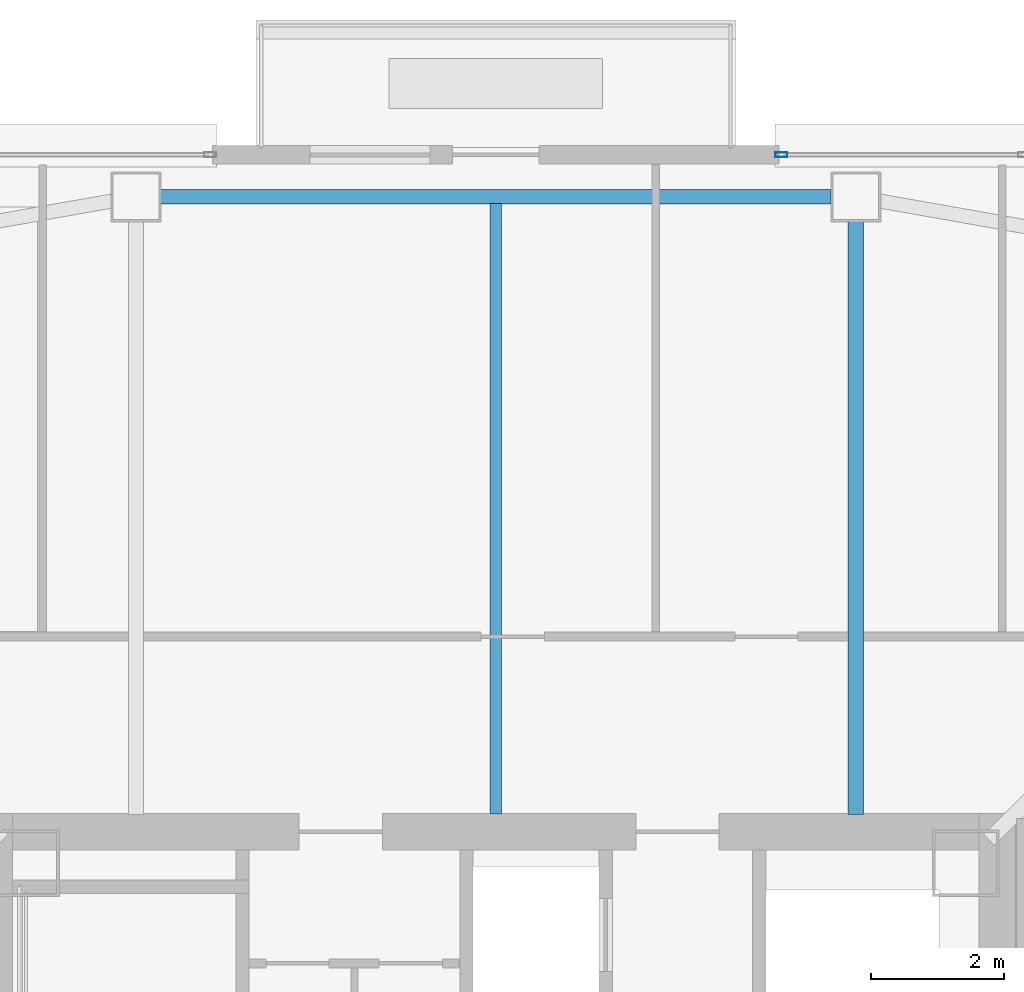
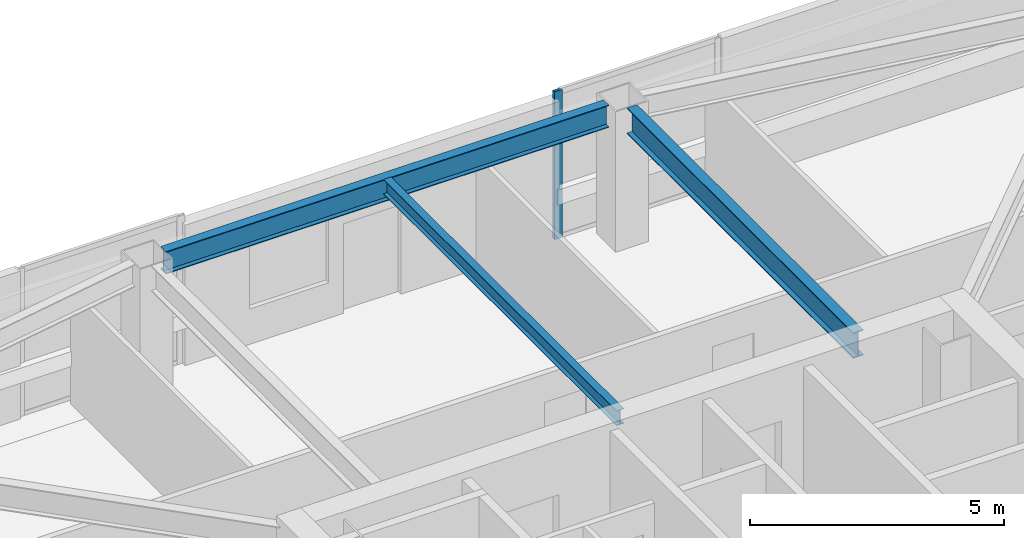
# One storey, part 15 of 46: 3 beams, 1 member, 1 element without a shape of its own.
"""IFC4 building model written with IfcOpenShell, lengths in metres."""

from ifc_helpers import new_model, si_unit, direction, frame, origin, origin_2d, place, context, subcontext, project, spatial, hollow_rectangle, i_section, extrude, material, material_profile, profile_set, type_object, element, aggregate, save


model = new_model("IFC4")

# Units and contexts
model_context = context("Model", 3, precision=1e-05, world=origin(), true_north=direction((0.0, 1.0)))
body_context = subcontext(model_context, "Body", "Model", "MODEL_VIEW")
ifc_project = project(units=[si_unit("LENGTHUNIT", "METRE"), si_unit("AREAUNIT", "SQUARE_METRE"), si_unit("VOLUMEUNIT", "CUBIC_METRE"), si_unit("PLANEANGLEUNIT", "RADIAN"), si_unit("MASSUNIT", "GRAM", prefix="KILO")], contexts=[model_context])

# Site, building, storey
site_placement = place(None, origin())
site = spatial("IfcSite", under=ifc_project, at=site_placement, CompositionType="ELEMENT")
building_placement = place(site_placement, origin())
building = spatial("IfcBuilding", under=site, at=building_placement, Name="Tashvorn Skyway Center", CompositionType="ELEMENT")
storey_placement = place(building_placement, frame((0.0, 0.0, 167.64990234375)))
storey = spatial("IfcBuildingStorey", under=building, at=storey_placement, Name="L45", CompositionType="ELEMENT", Elevation=167.64990234375)

# Beams
ifc_material_1 = material(Name="Steel ASTM A992 Grade 50", Category="steel")
ifc_material_profile_1 = material_profile(ifc_material_1, i_section(OverallWidth=0.22998046875, OverallDepth=0.616943359375, WebThickness=0.01318359375, FlangeThickness=0.022216796875, at=origin_2d()), Name="W24X94")
ifc_profile_set_1 = profile_set([ifc_material_profile_1], Name="Steel ASTM A992 Grade 50")
beam_type_1 = type_object("IfcBeamType", Name="BM-BEAM-W24X94", PredefinedType="BEAM", material=ifc_profile_set_1)
beam_1_placement = place(storey_placement, frame((47.39990234375, 48.679931640625, 3.0615234375), z_axis=(0.0, -1.0, 0.0), x_axis=(1.0, 0.0, 0.0)))
element("IfcBeam", 1, at=beam_1_placement, inside=storey, type_object=beam_type_1, Name="Tower 1 L45 Primary Floor Girder FC-N1", PredefinedType="BEAM", context=body_context, shape_type="SweptSolid", body=[
    extrude(i_section(OverallWidth=0.22998046875, OverallDepth=0.616943359375, WebThickness=0.01318359375, FlangeThickness=0.022216796875, at=origin_2d()), origin(), (0.0, 0.0, 1.0), 8.89990234375),
])
ifc_material_profile_2 = material_profile(ifc_material_1, i_section(OverallWidth=0.1708984375, OverallDepth=0.35498046875, WebThickness=0.007080078125, FlangeThickness=0.01171875, at=origin_2d()), Name="W14X34")
ifc_profile_set_2 = profile_set([ifc_material_profile_2], Name="Steel ASTM A992 Grade 50")
beam_type_2 = type_object("IfcBeamType", Name="BM-JOIST-W14X34", PredefinedType="JOIST", material=ifc_profile_set_2)
beam_2_placement = place(storey_placement, frame((42.0, 39.7900390625, 3.192626953125), z_axis=(0.0, 1.0, 0.0), x_axis=(-1.0, 0.0, 0.0)))
element("IfcBeam", 2, at=beam_2_placement, inside=storey, type_object=beam_type_2, Name="Tower 1 L45 Secondary Composite Joist JN", PredefinedType="JOIST", context=body_context, shape_type="SweptSolid", body=[
    extrude(i_section(OverallWidth=0.1708984375, OverallDepth=0.35498046875, WebThickness=0.007080078125, FlangeThickness=0.01171875, at=origin_2d()), origin(), (0.0, 0.0, 1.0), 9.162353515625),
])
ifc_material_profile_3 = material_profile(ifc_material_1, i_section(OverallWidth=0.2109375, OverallDepth=0.5390625, WebThickness=0.01171875, FlangeThickness=0.018798828125, at=origin_2d()), Name="W21X73")
ifc_profile_set_3 = profile_set([ifc_material_profile_3], Name="Steel ASTM A992 Grade 50")
beam_type_3 = type_object("IfcBeamType", Name="BM-SPANDREL-W21X73", PredefinedType="SPANDREL", material=ifc_profile_set_3)
beam_3_placement = place(storey_placement, frame((47.030029296875, 49.050048828125, 3.1005859375), z_axis=(-1.0, 0.0, 0.0), x_axis=(0.0, -1.0, 0.0)))
element("IfcBeam", 3, at=beam_3_placement, inside=storey, type_object=beam_type_3, Name="Tower 1 L45 Spandrel Beam 08", PredefinedType="SPANDREL", context=body_context, shape_type="SweptSolid", body=[
    extrude(i_section(OverallWidth=0.2109375, OverallDepth=0.5390625, WebThickness=0.01171875, FlangeThickness=0.018798828125, at=origin_2d()), origin(), (0.0, 0.0, 1.0), 10.06005859375),
])

# Curtain wall, member
ifc_material_2 = material(Name="Thermally broken bronze-anodized aluminium 6063-T6", Category="aluminium")
curtain_wall_type = type_object("IfcCurtainWallType", Name="CW-CW-Z4", PredefinedType="NOTDEFINED", material=ifc_material_2)
curtain_wall_placement = place(storey_placement, origin())
curtain_wall = element("IfcCurtainWall", 4, at=curtain_wall_placement, inside=storey, type_object=curtain_wall_type, Name="Tower 1 L45 North Curtain Wall R Glazing Group 1", PredefinedType="NOTDEFINED")
ifc_material_profile_4 = material_profile(ifc_material_2, hollow_rectangle(XDim=0.070068359375, YDim=0.179931640625, WallThickness=0.00390625, at=origin_2d()), Name="ALU-MULL-70x180")
ifc_profile_set_4 = profile_set([ifc_material_profile_4], Name="Thermally broken bronze-anodized aluminium 6063-T6")
member_type = type_object("IfcMemberType", Name="CWM-CW-Z4", PredefinedType="MULLION", material=ifc_profile_set_4)
member_placement = place(storey_placement, frame((46.284912109375, 49.679931640625, 0.0), z_axis=(0.0, 0.0, 1.0), x_axis=(0.0, 1.0, 0.0)))
member = element("IfcMember", 5, at=member_placement, type_object=member_type, Name="CW-Z4 mullion 1", PredefinedType="MULLION", context=body_context, shape_type="SweptSolid", body=[
    extrude(hollow_rectangle(XDim=0.070068359375, YDim=0.179931640625, WallThickness=0.00390625, at=origin_2d()), origin(), (0.0, 0.0, 1.0), 3.550048828125),
])
aggregate(curtain_wall, [member])

save(model, "model.ifc")
